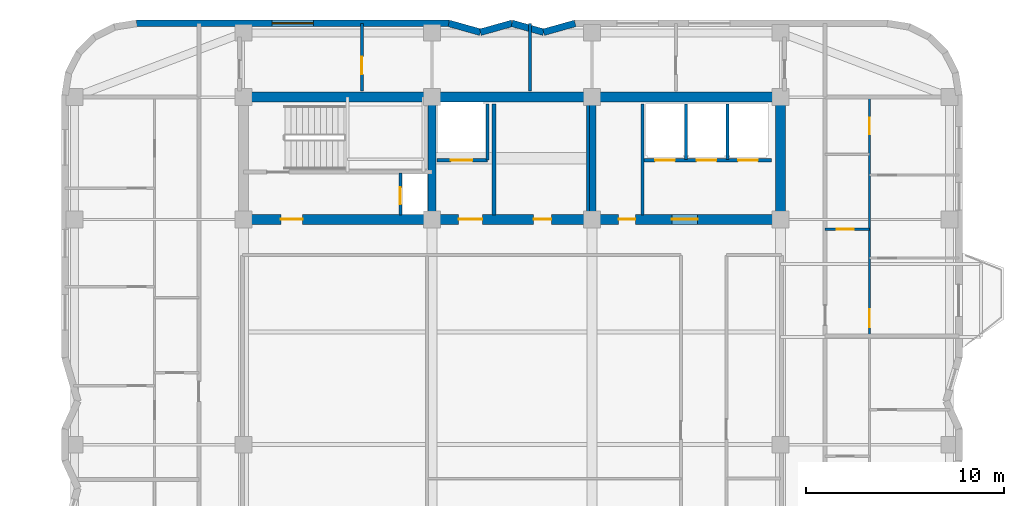
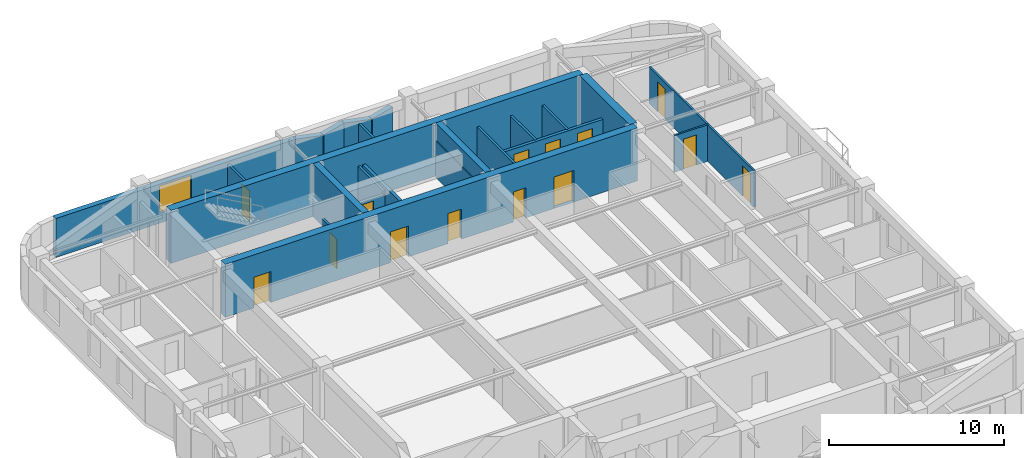
# One storey, part 6 of 9: 23 walls, 14 doors, 1 window, 15 openings.
"""IFC4 building model written with IfcOpenShell, lengths in metres."""

from ifc_helpers import new_model, si_unit, direction, frame, frame_2d, origin, place, context, subcontext, project, spatial, rectangle, extrude, material, layer, layer_set, type_object, element, fill, save


model = new_model("IFC4")

# Units and contexts
model_context = context("Model", 3, precision=1e-05, world=origin(), true_north=direction((0.0, 1.0)))
body_context = subcontext(model_context, "Body", "Model", "MODEL_VIEW")
ifc_project = project(units=[si_unit("LENGTHUNIT", "METRE"), si_unit("AREAUNIT", "SQUARE_METRE"), si_unit("VOLUMEUNIT", "CUBIC_METRE"), si_unit("PLANEANGLEUNIT", "RADIAN"), si_unit("MASSUNIT", "GRAM", prefix="KILO")], contexts=[model_context])

# Site, building, storey
site_placement = place(None, origin())
site = spatial("IfcSite", under=ifc_project, at=site_placement, CompositionType="ELEMENT")
building_placement = place(site_placement, origin())
building = spatial("IfcBuilding", under=site, at=building_placement, Name="Svetorya Sky Lyceum", CompositionType="ELEMENT")
storey_placement = place(building_placement, frame((0.0, 0.0, 207.300048828125)))
storey = spatial("IfcBuildingStorey", under=building, at=storey_placement, Name="L51", CompositionType="ELEMENT", Elevation=207.300048828125)

# Walls
ifc_material_1 = material(Name="Concrete C40/50", Category="concrete")
ifc_layer_1 = layer(ifc_material_1, 0.39990234375)
ifc_layer_set_1 = layer_set([ifc_layer_1], Name="Concrete C40/50")
wall_type_1 = type_object("IfcWallType", Name="WL-CORE-400", PredefinedType="SHEAR", material=ifc_layer_set_1)
for number, where, z_axis, x_axis, name in (
    (1, (35.14990234375, 39.85009765625, 0.0), (0.0, 0.0, 1.0), (0.0, 1.0, 0.0), "L51 NC Internal Shear Web WEB1"),
    (2, (43.25, 39.85009765625, 0.0), (0.0, 0.0, 1.0), (0.0, 1.0, 0.0), "L51 NC Internal Shear Web WEB2"),
):
    element("IfcWall", number, at=place(storey_placement, frame(where, z_axis=z_axis, x_axis=x_axis)), inside=storey, type_object=wall_type_1, Name=name, PredefinedType="SHEAR", context=body_context, shape_type="SweptSolid", body=[
        extrude(rectangle(XDim=5.699951171875, YDim=0.39990234375, at=frame_2d((2.85009765625, 0.0))), origin(), (0.0, 0.0, 1.0), 3.699951171875),
    ])
ifc_material_2 = material(Name="Concrete C50/60", Category="concrete")
ifc_layer_2 = layer(ifc_material_2, 0.5)
ifc_layer_set_2 = layer_set([ifc_layer_2], Name="Concrete C50/60")
wall_type_2 = type_object("IfcWallType", Name="WL-CORE-500", PredefinedType="SHEAR", material=ifc_layer_set_2)
wall_1_placement = place(storey_placement, frame((25.60009765625, 45.800048828125, 0.0), z_axis=(0.0, 0.0, 1.0), x_axis=(1.0, 0.0, 0.0)))
element("IfcWall", 3, at=wall_1_placement, inside=storey, type_object=wall_type_2, Name="L51 NC Outer Core Shear Wall", PredefinedType="SHEAR", context=body_context, shape_type="SweptSolid", body=[
    extrude(rectangle(XDim=27.199951171875, YDim=0.5, at=frame_2d((13.60009765625, 0.0))), origin(), (0.0, 0.0, 1.0), 3.699951171875),
])
wall_2_placement = place(storey_placement, frame((52.800048828125, 39.85009765625, 0.0), z_axis=(0.0, 0.0, 1.0), x_axis=(0.0, 1.0, 0.0)))
element("IfcWall", 4, at=wall_2_placement, inside=storey, type_object=wall_type_2, Name="L51 NC East Core Shear Wall", PredefinedType="SHEAR", context=body_context, shape_type="SweptSolid", body=[
    extrude(rectangle(XDim=5.699951171875, YDim=0.5, at=frame_2d((2.85009765625, 0.0))), origin(), (0.0, 0.0, 1.0), 3.699951171875),
])

# Wall, openings, doors
wall_3_placement = place(storey_placement, frame((52.800048828125, 39.60009765625, 0.0), z_axis=(0.0, 0.0, 1.0), x_axis=(-1.0, 0.0, 0.0)))
wall_3 = element("IfcWall", 5, at=wall_3_placement, inside=storey, type_object=wall_type_2, Name="L51 NC Inner Core Shear Wall", PredefinedType="SHEAR", context=body_context, shape_type="SweptSolid", body=[
    extrude(rectangle(XDim=27.199951171875, YDim=0.5, at=frame_2d((13.60009765625, 0.0))), origin(), (0.0, 0.0, 1.0), 3.699951171875),
])
opening_1_placement = place(wall_3_placement, frame((24.199951171875, 0.0, 0.0)))
opening_1 = element("IfcOpeningElement", 6, at=opening_1_placement, cuts=wall_3, Name="Opening D-ST1", PredefinedType="OPENING", context=body_context, shape_type="SweptSolid", body=[
    extrude(rectangle(XDim=1.10009765625, YDim=2.14990234375, at=frame_2d((0.550048828125, 1.074951171875))), frame((0.0, 0.260009765625, 0.0), z_axis=(0.0, -1.0, 0.0), x_axis=(1.0, 0.0, 0.0)), (0.0, 0.0, 1.0), 0.52001953125),
])
opening_2_placement = place(wall_3_placement, frame((15.10009765625, 0.0, 0.0)))
opening_2 = element("IfcOpeningElement", 7, at=opening_2_placement, cuts=wall_3, Name="Opening D-FL1", PredefinedType="OPENING", context=body_context, shape_type="SweptSolid", body=[
    extrude(rectangle(XDim=1.199951171875, YDim=2.14990234375, at=frame_2d((0.60009765625, 1.074951171875))), frame((0.0, 0.260009765625, 0.0), z_axis=(0.0, -1.0, 0.0), x_axis=(1.0, 0.0, 0.0)), (0.0, 0.0, 1.0), 0.52001953125),
])
opening_3_placement = place(wall_3_placement, frame((11.60009765625, 0.0, 0.0)))
opening_3 = element("IfcOpeningElement", 8, at=opening_3_placement, cuts=wall_3, Name="Opening D-RM1", PredefinedType="OPENING", context=body_context, shape_type="SweptSolid", body=[
    extrude(rectangle(XDim=0.89990234375, YDim=2.10009765625, at=frame_2d((0.449951171875, 1.050048828125))), frame((0.0, 0.260009765625, 0.0), z_axis=(0.0, -1.0, 0.0), x_axis=(1.0, 0.0, 0.0)), (0.0, 0.0, 1.0), 0.52001953125),
])
opening_4_placement = place(wall_3_placement, frame((7.35009765625, 0.0, 0.0)))
opening_4 = element("IfcOpeningElement", 9, at=opening_4_placement, cuts=wall_3, Name="Opening D-CWC1", PredefinedType="OPENING", context=body_context, shape_type="SweptSolid", body=[
    extrude(rectangle(XDim=0.85009765625, YDim=2.10009765625, at=frame_2d((0.425048828125, 1.050048828125))), frame((0.0, 0.260009765625, 0.0), z_axis=(0.0, -1.0, 0.0), x_axis=(1.0, 0.0, 0.0)), (0.0, 0.0, 1.0), 0.52001953125),
])
opening_5_placement = place(wall_3_placement, frame((4.199951171875, 0.0, 0.0)))
opening_5 = element("IfcOpeningElement", 10, at=opening_5_placement, cuts=wall_3, Name="Opening D-LB1", PredefinedType="OPENING", context=body_context, shape_type="SweptSolid", body=[
    extrude(rectangle(XDim=1.300048828125, YDim=2.199951171875, at=frame_2d((0.64990234375, 1.10009765625))), frame((0.0, 0.260009765625, 0.0), z_axis=(0.0, -1.0, 0.0), x_axis=(1.0, 0.0, 0.0)), (0.0, 0.0, 1.0), 0.52001953125),
])
ifc_material_3 = material(Name="Fire-rated galvanized steel core service closet door", Category="steel")
door_type_1 = type_object("IfcDoorType", Name="DR-CWET-850", OperationType="SINGLE_SWING_LEFT", PredefinedType="DOOR", material=ifc_material_3)
door_1_placement = place(opening_4_placement, origin())
door_1 = element("IfcDoor", 11, at=door_1_placement, inside=storey, type_object=door_type_1, Name="L51 High-Zone Utility Room Door", OperationType="SINGLE_SWING_LEFT", OverallHeight=2.10009765625, OverallWidth=0.85009765625, PredefinedType="DOOR", context=body_context, shape_type="SweptSolid", body=[
    extrude(rectangle(XDim=0.85009765625, YDim=2.10009765625, at=frame_2d((0.425048828125, 1.050048828125))), frame((0.0, 0.02490234375, 0.0), z_axis=(0.0, -1.0, 0.0), x_axis=(1.0, 0.0, 0.0)), (0.0, 0.0, 1.0), 0.050048828125),
])
fill(opening_4, door_1)
ifc_material_4 = material(Name="Powder-coated insulated galvanized stair fire door")
door_type_2 = type_object("IfcDoorType", Name="DR-FIRE-1100", OperationType="SINGLE_SWING_LEFT", PredefinedType="DOOR", material=ifc_material_4)
door_2_placement = place(opening_1_placement, origin())
door_2 = element("IfcDoor", 12, at=door_2_placement, inside=storey, type_object=door_type_2, Name="L51 North Stair Airlock Door", OperationType="SINGLE_SWING_LEFT", OverallHeight=2.14990234375, OverallWidth=1.10009765625, PredefinedType="DOOR", context=body_context, shape_type="SweptSolid", body=[
    extrude(rectangle(XDim=1.10009765625, YDim=2.14990234375, at=frame_2d((0.550048828125, 1.074951171875))), frame((0.0, 0.02490234375, 0.0), z_axis=(0.0, -1.0, 0.0), x_axis=(1.0, 0.0, 0.0)), (0.0, 0.0, 1.0), 0.050048828125),
])
fill(opening_1, door_2)
ifc_material_5 = material(Name="Powder-coated insulated galvanized fire door")
door_type_3 = type_object("IfcDoorType", Name="DR-FIRE-1200", OperationType="SINGLE_SWING_LEFT", PredefinedType="DOOR", material=ifc_material_5)
door_3_placement = place(opening_2_placement, origin())
door_3 = element("IfcDoor", 13, at=door_3_placement, inside=storey, type_object=door_type_3, Name="L51 North Firefighting Lift Lobby Door", OperationType="SINGLE_SWING_RIGHT", OverallHeight=2.14990234375, OverallWidth=1.199951171875, PredefinedType="DOOR", context=body_context, shape_type="SweptSolid", body=[
    extrude(rectangle(XDim=1.199951171875, YDim=2.14990234375, at=frame_2d((0.60009765625, 1.074951171875))), frame((0.0, 0.02490234375, 0.0), z_axis=(0.0, -1.0, 0.0), x_axis=(1.0, 0.0, 0.0)), (0.0, 0.0, 1.0), 0.050048828125),
])
fill(opening_2, door_3)
ifc_material_6 = material(Name="Lacquered birch veneer internal door")
door_type_4 = type_object("IfcDoorType", Name="DR-INT-900", OperationType="SINGLE_SWING_LEFT", PredefinedType="DOOR", material=ifc_material_6)
door_4_placement = place(opening_3_placement, origin())
door_4 = element("IfcDoor", 14, at=door_4_placement, inside=storey, type_object=door_type_4, Name="L51 Upper Archive Door", OperationType="SINGLE_SWING_LEFT", OverallHeight=2.10009765625, OverallWidth=0.89990234375, PredefinedType="DOOR", context=body_context, shape_type="SweptSolid", body=[
    extrude(rectangle(XDim=0.89990234375, YDim=2.10009765625, at=frame_2d((0.449951171875, 1.050048828125))), frame((0.0, 0.02490234375, 0.0), z_axis=(0.0, -1.0, 0.0), x_axis=(1.0, 0.0, 0.0)), (0.0, 0.0, 1.0), 0.050048828125),
])
fill(opening_3, door_4)
ifc_material_7 = material(Name="Glazed fire-rated aluminium lobby door", Category="aluminium")
door_type_5 = type_object("IfcDoorType", Name="DR-LOB-1300", OperationType="SINGLE_SWING_LEFT", PredefinedType="DOOR", material=ifc_material_7)
door_5_placement = place(opening_5_placement, origin())
door_5 = element("IfcDoor", 15, at=door_5_placement, inside=storey, type_object=door_type_5, Name="L51 North Passenger Lift Lobby Door", OperationType="SINGLE_SWING_LEFT", OverallHeight=2.199951171875, OverallWidth=1.300048828125, PredefinedType="DOOR", context=body_context, shape_type="SweptSolid", body=[
    extrude(rectangle(XDim=1.300048828125, YDim=2.199951171875, at=frame_2d((0.64990234375, 1.10009765625))), frame((0.0, 0.02490234375, 0.0), z_axis=(0.0, -1.0, 0.0), x_axis=(1.0, 0.0, 0.0)), (0.0, 0.0, 1.0), 0.050048828125),
])
fill(opening_5, door_5)

# Walls
ifc_material_8 = material(Name="Putilovo limestone rainscreen on autoclaved cellular masonry", Category="masonry")
ifc_layer_3 = layer(ifc_material_8, 0.340087890625)
ifc_layer_set_3 = layer_set([ifc_layer_3], Name="Putilovo limestone rainscreen on autoclaved cellular masonry")
wall_type_3 = type_object("IfcWallType", Name="WL-EXT-340", PredefinedType="SOLIDWALL", material=ifc_layer_set_3)
wall_4_placement = place(storey_placement, frame((42.39990234375, 49.530029296875, 0.0), z_axis=(0.0, 0.0, 1.0), x_axis=(-0.962652136636, -0.270741322725, 0.0)))
element("IfcWall", 16, at=wall_4_placement, inside=storey, type_object=wall_type_3, Name="L51 Limestone Exterior Wall 30M", PredefinedType="SOLIDWALL", context=body_context, shape_type="SweptSolid", body=[
    extrude(rectangle(XDim=1.661865234375, YDim=0.340087890625, at=frame_2d((0.8310546875, 0.0))), origin(), (0.0, 0.0, 1.0), 2.719970703125),
])
wall_5_placement = place(storey_placement, frame((40.800048828125, 49.080078125, 0.0), z_axis=(0.0, 0.0, 1.0), x_axis=(-0.962662902433, 0.270703040766, 0.0)))
element("IfcWall", 17, at=wall_5_placement, inside=storey, type_object=wall_type_3, Name="L51 Limestone Exterior Wall 31M", PredefinedType="SOLIDWALL", context=body_context, shape_type="SweptSolid", body=[
    extrude(rectangle(XDim=1.662109375, YDim=0.340087890625, at=frame_2d((0.8310546875, 0.0))), origin(), (0.0, 0.0, 1.0), 2.719970703125),
])
wall_6_placement = place(storey_placement, frame((39.199951171875, 49.530029296875, 0.0), z_axis=(0.0, 0.0, 1.0), x_axis=(-0.962652136636, -0.270741322725, 0.0)))
element("IfcWall", 18, at=wall_6_placement, inside=storey, type_object=wall_type_3, Name="L51 Limestone Exterior Wall 32M", PredefinedType="SOLIDWALL", context=body_context, shape_type="SweptSolid", body=[
    extrude(rectangle(XDim=1.661865234375, YDim=0.340087890625, at=frame_2d((0.8310546875, 0.0))), origin(), (0.0, 0.0, 1.0), 2.719970703125),
])
wall_7_placement = place(storey_placement, frame((37.60009765625, 49.080078125, 0.0), z_axis=(0.0, 0.0, 1.0), x_axis=(-0.962662902433, 0.270703040766, 0.0)))
element("IfcWall", 19, at=wall_7_placement, inside=storey, type_object=wall_type_3, Name="L51 Limestone Exterior Wall 33M", PredefinedType="SOLIDWALL", context=body_context, shape_type="SweptSolid", body=[
    extrude(rectangle(XDim=1.662109375, YDim=0.340087890625, at=frame_2d((0.8310546875, 0.0))), origin(), (0.0, 0.0, 1.0), 2.719970703125),
])

# Wall, opening, window
wall_8_placement = place(storey_placement, frame((36.0, 49.530029296875, 0.0), z_axis=(0.0, 0.0, 1.0), x_axis=(-1.0, 0.0, 0.0)))
wall_8 = element("IfcWall", 20, at=wall_8_placement, inside=storey, type_object=wall_type_3, Name="L51 Limestone Exterior Wall 34M", PredefinedType="SOLIDWALL", context=body_context, shape_type="SweptSolid", body=[
    extrude(rectangle(XDim=15.800048828125, YDim=0.340087890625, at=frame_2d((7.89990234375, 0.0))), origin(), (0.0, 0.0, 1.0), 2.719970703125),
])
opening_6_placement = place(wall_8_placement, frame((6.85009765625, 0.0, 0.699951171875)))
opening_6 = element("IfcOpeningElement", 21, at=opening_6_placement, cuts=wall_8, Name="Opening W-R0", PredefinedType="OPENING", context=body_context, shape_type="SweptSolid", body=[
    extrude(rectangle(XDim=2.10009765625, YDim=1.89990234375, at=frame_2d((1.050048828125, 0.949951171875))), frame((0.0, 0.179931640625, 0.0), z_axis=(0.0, -1.0, 0.0), x_axis=(1.0, 0.0, 0.0)), (0.0, 0.0, 1.0), 0.360107421875),
])
ifc_material_9 = material(Name="Thermally broken aluminium frame with triple low-E glazing", Category="aluminium")
window_type = type_object("IfcWindowType", Name="WN-RES-210", PartitioningType="TRIPLE_PANEL_VERTICAL", PredefinedType="WINDOW", material=ifc_material_9)
window_placement = place(opening_6_placement, origin())
window = element("IfcWindow", 22, at=window_placement, inside=storey, type_object=window_type, Name="L51 Facade Window W-R0.34M.1", OverallHeight=1.89990234375, OverallWidth=2.10009765625, PartitioningType="SINGLE_PANEL", PredefinedType="WINDOW", context=body_context, shape_type="SweptSolid", body=[
    extrude(rectangle(XDim=2.10009765625, YDim=1.89990234375, at=frame_2d((1.050048828125, 0.949951171875))), frame((0.0, 0.030029296875, 0.0), z_axis=(0.0, -1.0, 0.0), x_axis=(1.0, 0.0, 0.0)), (0.0, 0.0, 1.0), 0.06005859375),
])
fill(opening_6, window)

# Wall, opening, door
ifc_material_10 = material(Name="Twin-stud galvanized framing with double fireboard", Category="gypsum")
ifc_layer_4 = layer(ifc_material_10, 0.1201171875)
ifc_layer_set_4 = layer_set([ifc_layer_4], Name="Twin-stud galvanized framing with double fireboard")
wall_type_4 = type_object("IfcWallType", Name="WL-PART-120", PredefinedType="PARTITIONING", material=ifc_layer_set_4)
wall_9_placement = place(storey_placement, frame((55.050048828125, 39.10009765625, 0.0), z_axis=(0.0, 0.0, 1.0), x_axis=(1.0, 0.0, 0.0)))
wall_9 = element("IfcWall", 23, at=wall_9_placement, inside=storey, type_object=wall_type_4, Name="L51 Interior Partition E3-WH1", PredefinedType="PARTITIONING", context=body_context, shape_type="SweptSolid", body=[
    extrude(rectangle(XDim=2.25, YDim=0.1201171875, at=frame_2d((1.125, 0.0))), origin(), (0.0, 0.0, 1.0), 2.550048828125),
])
opening_7_placement = place(wall_9_placement, frame((0.60009765625, 0.0, 0.0)))
opening_7 = element("IfcOpeningElement", 24, at=opening_7_placement, cuts=wall_9, Name="Opening D-BT1", PredefinedType="OPENING", context=body_context, shape_type="SweptSolid", body=[
    extrude(rectangle(XDim=0.85009765625, YDim=2.10009765625, at=frame_2d((0.425048828125, 1.050048828125))), frame((0.0, 0.070068359375, 0.0), z_axis=(0.0, -1.0, 0.0), x_axis=(1.0, 0.0, 0.0)), (0.0, 0.0, 1.0), 0.14013671875),
])
ifc_material_11 = material(Name="Moisture-resistant laminate bathroom door")
door_type_6 = type_object("IfcDoorType", Name="DR-WET-850", OperationType="SINGLE_SWING_LEFT", PredefinedType="DOOR", material=ifc_material_11)
door_6_placement = place(opening_7_placement, origin())
door_6 = element("IfcDoor", 25, at=door_6_placement, inside=storey, type_object=door_type_6, Name="Apartment E3 Bathroom Door", OperationType="SINGLE_SWING_RIGHT", OverallHeight=2.10009765625, OverallWidth=0.85009765625, PredefinedType="DOOR", context=body_context, shape_type="SweptSolid", body=[
    extrude(rectangle(XDim=0.85009765625, YDim=2.10009765625, at=frame_2d((0.425048828125, 1.050048828125))), frame((0.0, 0.02490234375, 0.0), z_axis=(0.0, -1.0, 0.0), x_axis=(1.0, 0.0, 0.0)), (0.0, 0.0, 1.0), 0.050048828125),
])
fill(opening_7, door_6)

# Wall, openings, doors
wall_10_placement = place(storey_placement, frame((57.300048828125, 33.739990234375, 0.0), z_axis=(0.0, 0.0, 1.0), x_axis=(0.0, 1.0, 0.0)))
wall_10 = element("IfcWall", 26, at=wall_10_placement, inside=storey, type_object=wall_type_4, Name="L51 Interior Partition E3-WV", PredefinedType="PARTITIONING", context=body_context, shape_type="SweptSolid", body=[
    extrude(rectangle(XDim=12.02001953125, YDim=0.1201171875, at=frame_2d((6.010009765625, 0.0))), origin(), (0.0, 0.0, 1.0), 2.550048828125),
])
opening_8_placement = place(wall_10_placement, frame((0.409912109375, 0.0, 0.0)))
opening_8 = element("IfcOpeningElement", 27, at=opening_8_placement, cuts=wall_10, Name="Opening D-RM1", PredefinedType="OPENING", context=body_context, shape_type="SweptSolid", body=[
    extrude(rectangle(XDim=0.89990234375, YDim=2.10009765625, at=frame_2d((0.449951171875, 1.050048828125))), frame((0.0, 0.070068359375, 0.0), z_axis=(0.0, -1.0, 0.0), x_axis=(1.0, 0.0, 0.0)), (0.0, 0.0, 1.0), 0.14013671875),
])
opening_9_placement = place(wall_10_placement, frame((10.18505859375, 0.0, 0.0)))
opening_9 = element("IfcOpeningElement", 28, at=opening_9_placement, cuts=wall_10, Name="Opening D-BT2", PredefinedType="OPENING", context=body_context, shape_type="SweptSolid", body=[
    extrude(rectangle(XDim=0.820068359375, YDim=2.080078125, at=frame_2d((0.41015625, 1.0400390625))), frame((0.0, 0.070068359375, 0.0), z_axis=(0.0, -1.0, 0.0), x_axis=(1.0, 0.0, 0.0)), (0.0, 0.0, 1.0), 0.14013671875),
])
door_7_placement = place(opening_8_placement, origin())
door_7 = element("IfcDoor", 29, at=door_7_placement, inside=storey, type_object=door_type_4, Name="Apartment E3 Living Door", OperationType="SINGLE_SWING_LEFT", OverallHeight=2.10009765625, OverallWidth=0.89990234375, PredefinedType="DOOR", context=body_context, shape_type="SweptSolid", body=[
    extrude(rectangle(XDim=0.89990234375, YDim=2.10009765625, at=frame_2d((0.449951171875, 1.050048828125))), frame((0.0, 0.02490234375, 0.0), z_axis=(0.0, -1.0, 0.0), x_axis=(1.0, 0.0, 0.0)), (0.0, 0.0, 1.0), 0.050048828125),
])
fill(opening_8, door_7)
ifc_material_12 = material(Name="Compact moisture-resistant laminate closet door")
door_type_7 = type_object("IfcDoorType", Name="DR-WET-820", OperationType="SINGLE_SWING_LEFT", PredefinedType="DOOR", material=ifc_material_12)
door_8_placement = place(opening_9_placement, origin())
door_8 = element("IfcDoor", 30, at=door_8_placement, inside=storey, type_object=door_type_7, Name="Apartment E3 Study Door", OperationType="SINGLE_SWING_RIGHT", OverallHeight=2.080078125, OverallWidth=0.820068359375, PredefinedType="DOOR", context=body_context, shape_type="SweptSolid", body=[
    extrude(rectangle(XDim=0.820068359375, YDim=2.080078125, at=frame_2d((0.41015625, 1.0400390625))), frame((0.0, 0.02490234375, 0.0), z_axis=(0.0, -1.0, 0.0), x_axis=(1.0, 0.0, 0.0)), (0.0, 0.0, 1.0), 0.050048828125),
])
fill(opening_9, door_8)

# Wall, opening, door
ifc_material_13 = material(Name="Autoclaved cellular masonry blockwork with acoustic render", Category="masonry")
ifc_layer_5 = layer(ifc_material_13, 0.14990234375)
ifc_layer_set_5 = layer_set([ifc_layer_5], Name="Autoclaved cellular masonry blockwork with acoustic render")
wall_type_5 = type_object("IfcWallType", Name="WL-PART-150", PredefinedType="PARTITIONING", material=ifc_layer_set_5)
wall_11_placement = place(storey_placement, frame((33.550048828125, 39.820068359375, 0.0), z_axis=(0.0, 0.0, 1.0), x_axis=(0.0, 1.0, 0.0)))
wall_11 = element("IfcWall", 31, at=wall_11_placement, inside=storey, type_object=wall_type_5, Name="L51 Interior Partition NC-RSRW", PredefinedType="PARTITIONING", context=body_context, shape_type="SweptSolid", body=[
    extrude(rectangle(XDim=2.1298828125, YDim=0.14990234375, at=frame_2d((1.06494140625, 0.0))), origin(), (0.0, 0.0, 1.0), 2.550048828125),
])
opening_10_placement = place(wall_11_placement, frame((0.550048828125, 0.0, 0.0)))
opening_10 = element("IfcOpeningElement", 32, at=opening_10_placement, cuts=wall_11, Name="Opening D-SH1", PredefinedType="OPENING", context=body_context, shape_type="SweptSolid", body=[
    extrude(rectangle(XDim=0.85009765625, YDim=2.050048828125, at=frame_2d((0.425048828125, 1.02490234375))), frame((0.0, 0.0849609375, 0.0), z_axis=(0.0, -1.0, 0.0), x_axis=(1.0, 0.0, 0.0)), (0.0, 0.0, 1.0), 0.169921875),
])
ifc_material_14 = material(Name="Insulated galvanized riser inspection fire door")
door_type_8 = type_object("IfcDoorType", Name="DR-SHFT-850", OperationType="SINGLE_SWING_LEFT", PredefinedType="TRAPDOOR", material=ifc_material_14)
door_9_placement = place(opening_10_placement, origin())
door_9 = element("IfcDoor", 33, at=door_9_placement, inside=storey, type_object=door_type_8, Name="L51 North Riser Access Door", OperationType="SINGLE_SWING_LEFT", OverallHeight=2.050048828125, OverallWidth=0.85009765625, PredefinedType="TRAPDOOR", context=body_context, shape_type="SweptSolid", body=[
    extrude(rectangle(XDim=0.85009765625, YDim=2.050048828125, at=frame_2d((0.425048828125, 1.02490234375))), frame((0.0, 0.02490234375, 0.0), z_axis=(0.0, -1.0, 0.0), x_axis=(1.0, 0.0, 0.0)), (0.0, 0.0, 1.0), 0.050048828125),
])
fill(opening_10, door_9)

# Walls
wall_12_placement = place(storey_placement, frame((37.949951171875, 42.60009765625, 0.0), z_axis=(0.0, 0.0, 1.0), x_axis=(0.0, 1.0, 0.0)))
element("IfcWall", 34, at=wall_12_placement, inside=storey, type_object=wall_type_5, Name="L51 Interior Partition NC-FL1SIDE", PredefinedType="PARTITIONING", context=body_context, shape_type="SweptSolid", body=[
    extrude(rectangle(XDim=2.849853515625, YDim=0.14990234375, at=frame_2d((1.4248046875, 0.0))), origin(), (0.0, 0.0, 1.0), 2.550048828125),
])
for number, where, z_axis, x_axis, name in (
    (35, (43.050048828125, 39.820068359375, 0.0), (0.0, 0.0, 1.0), (0.0, 1.0, 0.0), "L51 Interior Partition NC-FPM-END"),
    (36, (45.800048828125, 39.820068359375, 0.0), (0.0, 0.0, 1.0), (0.0, 1.0, 0.0), "L51 Interior Partition NC-PM3-FULL"),
):
    element("IfcWall", number, at=place(storey_placement, frame(where, z_axis=z_axis, x_axis=x_axis)), inside=storey, type_object=wall_type_5, Name=name, PredefinedType="PARTITIONING", context=body_context, shape_type="SweptSolid", body=[
        extrude(rectangle(XDim=5.6298828125, YDim=0.14990234375, at=frame_2d((2.81494140625, 0.0))), origin(), (0.0, 0.0, 1.0), 2.550048828125),
    ])
for number, where, z_axis, x_axis, name in (
    (37, (48.0, 42.64990234375, 0.0), (0.0, 0.0, 1.0), (0.0, 1.0, 0.0), "L51 Interior Partition NC-PH-D1"),
    (38, (50.10009765625, 42.64990234375, 0.0), (0.0, 0.0, 1.0), (0.0, 1.0, 0.0), "L51 Interior Partition NC-PH-D2"),
):
    element("IfcWall", number, at=place(storey_placement, frame(where, z_axis=z_axis, x_axis=x_axis)), inside=storey, type_object=wall_type_5, Name=name, PredefinedType="PARTITIONING", context=body_context, shape_type="SweptSolid", body=[
        extrude(rectangle(XDim=2.800048828125, YDim=0.14990234375, at=frame_2d((1.39990234375, 0.0))), origin(), (0.0, 0.0, 1.0), 2.550048828125),
    ])

# Wall, opening, door
wall_13_placement = place(storey_placement, frame((31.60009765625, 46.10009765625, 0.0), z_axis=(0.0, 0.0, 1.0), x_axis=(0.0, 1.0, 0.0)))
wall_13 = element("IfcWall", 39, at=wall_13_placement, inside=storey, type_object=wall_type_5, Name="L51 Interior Partition N4-D1", PredefinedType="PARTITIONING", context=body_context, shape_type="SweptSolid", body=[
    extrude(rectangle(XDim=3.429931640625, YDim=0.14990234375, at=frame_2d((1.71484375, 0.0))), origin(), (0.0, 0.0, 1.0), 2.550048828125),
])
opening_11_placement = place(wall_13_placement, frame((0.85009765625, 0.0, 0.0)))
opening_11 = element("IfcOpeningElement", 40, at=opening_11_placement, cuts=wall_13, Name="Opening D-RM1", PredefinedType="OPENING", context=body_context, shape_type="SweptSolid", body=[
    extrude(rectangle(XDim=0.89990234375, YDim=2.10009765625, at=frame_2d((0.449951171875, 1.050048828125))), frame((0.0, 0.0849609375, 0.0), z_axis=(0.0, -1.0, 0.0), x_axis=(1.0, 0.0, 0.0)), (0.0, 0.0, 1.0), 0.169921875),
])
door_10_placement = place(opening_11_placement, origin())
door_10 = element("IfcDoor", 41, at=door_10_placement, inside=storey, type_object=door_type_4, Name="L51 North Suite Door 1", OperationType="SINGLE_SWING_RIGHT", OverallHeight=2.10009765625, OverallWidth=0.89990234375, PredefinedType="DOOR", context=body_context, shape_type="SweptSolid", body=[
    extrude(rectangle(XDim=0.89990234375, YDim=2.10009765625, at=frame_2d((0.449951171875, 1.050048828125))), frame((0.0, 0.02490234375, 0.0), z_axis=(0.0, -1.0, 0.0), x_axis=(1.0, 0.0, 0.0)), (0.0, 0.0, 1.0), 0.050048828125),
])
fill(opening_11, door_10)

# Wall
wall_14_placement = place(storey_placement, frame((40.10009765625, 46.10009765625, 0.0), z_axis=(0.0, 0.0, 1.0), x_axis=(0.0, 1.0, 0.0)))
element("IfcWall", 42, at=wall_14_placement, inside=storey, type_object=wall_type_5, Name="L51 Interior Partition N4-D2", PredefinedType="PARTITIONING", context=body_context, shape_type="SweptSolid", body=[
    extrude(rectangle(XDim=3.429931640625, YDim=0.14990234375, at=frame_2d((1.71484375, 0.0))), origin(), (0.0, 0.0, 1.0), 2.550048828125),
])

# Wall, opening, door
ifc_material_15 = material(Name="Autoclaved cellular masonry blockwork with gypsum plaster", Category="masonry")
ifc_layer_6 = layer(ifc_material_15, 0.199951171875)
ifc_layer_set_6 = layer_set([ifc_layer_6], Name="Autoclaved cellular masonry blockwork with gypsum plaster")
wall_type_6 = type_object("IfcWallType", Name="WL-PART-200", PredefinedType="PARTITIONING", material=ifc_layer_set_6)
wall_15_placement = place(storey_placement, frame((37.949951171875, 42.60009765625, 0.0), z_axis=(0.0, 0.0, 1.0), x_axis=(-1.0, 0.0, 0.0)))
wall_15 = element("IfcWall", 43, at=wall_15_placement, inside=storey, type_object=wall_type_6, Name="L51 Interior Partition NC-FL1W", PredefinedType="PARTITIONING", context=body_context, shape_type="SweptSolid", body=[
    extrude(rectangle(XDim=2.550048828125, YDim=0.199951171875, at=frame_2d((1.27490234375, 0.0))), origin(), (0.0, 0.0, 1.0), 2.320068359375),
])
opening_12_placement = place(wall_15_placement, frame((0.75, 0.0, 0.0)))
opening_12 = element("IfcOpeningElement", 44, at=opening_12_placement, cuts=wall_15, Name="Opening LD-FL", PredefinedType="OPENING", context=body_context, shape_type="SweptSolid", body=[
    extrude(rectangle(XDim=1.10009765625, YDim=2.14990234375, at=frame_2d((0.550048828125, 1.074951171875))), frame((0.0, 0.10986328125, 0.0), z_axis=(0.0, -1.0, 0.0), x_axis=(1.0, 0.0, 0.0)), (0.0, 0.0, 1.0), 0.219970703125),
])
ifc_material_16 = material(Name="Fire-rated stainless AISI 304 firefighting lift landing door")
door_type_9 = type_object("IfcDoorType", Name="DR-LIFT-1100", OperationType="SLIDING_TO_LEFT", PredefinedType="DOOR", material=ifc_material_16)
door_11_placement = place(opening_12_placement, origin())
door_11 = element("IfcDoor", 45, at=door_11_placement, inside=storey, type_object=door_type_9, Name="L51 Firefighting Lift FL1 Landing Door", OperationType="SLIDING_TO_LEFT", OverallHeight=2.14990234375, OverallWidth=1.10009765625, PredefinedType="DOOR", context=body_context, shape_type="SweptSolid", body=[
    extrude(rectangle(XDim=1.10009765625, YDim=2.14990234375, at=frame_2d((0.550048828125, 1.074951171875))), frame((0.0, 0.02490234375, 0.0), z_axis=(0.0, -1.0, 0.0), x_axis=(1.0, 0.0, 0.0)), (0.0, 0.0, 1.0), 0.050048828125),
])
fill(opening_12, door_11)

# Wall
wall_16_placement = place(storey_placement, frame((38.280029296875, 39.820068359375, 0.0), z_axis=(0.0, 0.0, 1.0), x_axis=(0.0, 1.0, 0.0)))
element("IfcWall", 46, at=wall_16_placement, inside=storey, type_object=wall_type_6, Name="L51 Interior Partition NC-FFLDIV", PredefinedType="PARTITIONING", context=body_context, shape_type="SweptSolid", body=[
    extrude(rectangle(XDim=5.6298828125, YDim=0.199951171875, at=frame_2d((2.81494140625, 0.0))), origin(), (0.0, 0.0, 1.0), 2.550048828125),
])

# Wall, openings, doors
wall_17_placement = place(storey_placement, frame((52.35009765625, 42.60009765625, 0.0), z_axis=(0.0, 0.0, 1.0), x_axis=(-1.0, 0.0, 0.0)))
wall_17 = element("IfcWall", 47, at=wall_17_placement, inside=storey, type_object=wall_type_6, Name="L51 Interior Partition NC-PHEW", PredefinedType="PARTITIONING", context=body_context, shape_type="SweptSolid", body=[
    extrude(rectangle(XDim=6.5, YDim=0.199951171875, at=frame_2d((3.25, 0.0))), origin(), (0.0, 0.0, 1.0), 2.550048828125),
])
opening_13_placement = place(wall_17_placement, frame((4.89990234375, 0.0, 0.0)))
opening_13 = element("IfcOpeningElement", 48, at=opening_13_placement, cuts=wall_17, Name="Opening LD-P1", PredefinedType="OPENING", context=body_context, shape_type="SweptSolid", body=[
    extrude(rectangle(XDim=1.0, YDim=2.14990234375, at=frame_2d((0.5, 1.074951171875))), frame((0.0, 0.10986328125, 0.0), z_axis=(0.0, -1.0, 0.0), x_axis=(1.0, 0.0, 0.0)), (0.0, 0.0, 1.0), 0.219970703125),
])
opening_14_placement = place(wall_17_placement, frame((2.800048828125, 0.0, 0.0)))
opening_14 = element("IfcOpeningElement", 49, at=opening_14_placement, cuts=wall_17, Name="Opening LD-P1", PredefinedType="OPENING", context=body_context, shape_type="SweptSolid", body=[
    extrude(rectangle(XDim=1.0, YDim=2.14990234375, at=frame_2d((0.5, 1.074951171875))), frame((0.0, 0.10986328125, 0.0), z_axis=(0.0, -1.0, 0.0), x_axis=(1.0, 0.0, 0.0)), (0.0, 0.0, 1.0), 0.219970703125),
])
opening_15_placement = place(wall_17_placement, frame((0.699951171875, 0.0, 0.0)))
opening_15 = element("IfcOpeningElement", 50, at=opening_15_placement, cuts=wall_17, Name="Opening LD-P1", PredefinedType="OPENING", context=body_context, shape_type="SweptSolid", body=[
    extrude(rectangle(XDim=1.0, YDim=2.14990234375, at=frame_2d((0.5, 1.074951171875))), frame((0.0, 0.10986328125, 0.0), z_axis=(0.0, -1.0, 0.0), x_axis=(1.0, 0.0, 0.0)), (0.0, 0.0, 1.0), 0.219970703125),
])
ifc_material_17 = material(Name="Champagne-anodized stainless passenger lift landing door")
door_type_10 = type_object("IfcDoorType", Name="DR-LIFT-1000", OperationType="SLIDING_TO_LEFT", PredefinedType="DOOR", material=ifc_material_17)
door_12_placement = place(opening_13_placement, origin())
door_12 = element("IfcDoor", 51, at=door_12_placement, inside=storey, type_object=door_type_10, Name="L51 Passenger Lift PH1 Landing Door", OperationType="SLIDING_TO_LEFT", OverallHeight=2.14990234375, OverallWidth=1.0, PredefinedType="DOOR", context=body_context, shape_type="SweptSolid", body=[
    extrude(rectangle(XDim=1.0, YDim=2.14990234375, at=frame_2d((0.5, 1.074951171875))), frame((0.0, 0.02490234375, 0.0), z_axis=(0.0, -1.0, 0.0), x_axis=(1.0, 0.0, 0.0)), (0.0, 0.0, 1.0), 0.050048828125),
])
fill(opening_13, door_12)
door_13_placement = place(opening_14_placement, origin())
door_13 = element("IfcDoor", 52, at=door_13_placement, inside=storey, type_object=door_type_10, Name="L51 Passenger Lift PH2 Landing Door", OperationType="SLIDING_TO_LEFT", OverallHeight=2.14990234375, OverallWidth=1.0, PredefinedType="DOOR", context=body_context, shape_type="SweptSolid", body=[
    extrude(rectangle(XDim=1.0, YDim=2.14990234375, at=frame_2d((0.5, 1.074951171875))), frame((0.0, 0.02490234375, 0.0), z_axis=(0.0, -1.0, 0.0), x_axis=(1.0, 0.0, 0.0)), (0.0, 0.0, 1.0), 0.050048828125),
])
fill(opening_14, door_13)
door_14_placement = place(opening_15_placement, origin())
door_14 = element("IfcDoor", 53, at=door_14_placement, inside=storey, type_object=door_type_10, Name="L51 Passenger Lift PH3 Landing Door", OperationType="SLIDING_TO_LEFT", OverallHeight=2.14990234375, OverallWidth=1.0, PredefinedType="DOOR", context=body_context, shape_type="SweptSolid", body=[
    extrude(rectangle(XDim=1.0, YDim=2.14990234375, at=frame_2d((0.5, 1.074951171875))), frame((0.0, 0.02490234375, 0.0), z_axis=(0.0, -1.0, 0.0), x_axis=(1.0, 0.0, 0.0)), (0.0, 0.0, 1.0), 0.050048828125),
])
fill(opening_15, door_14)

save(model, "model.ifc")
